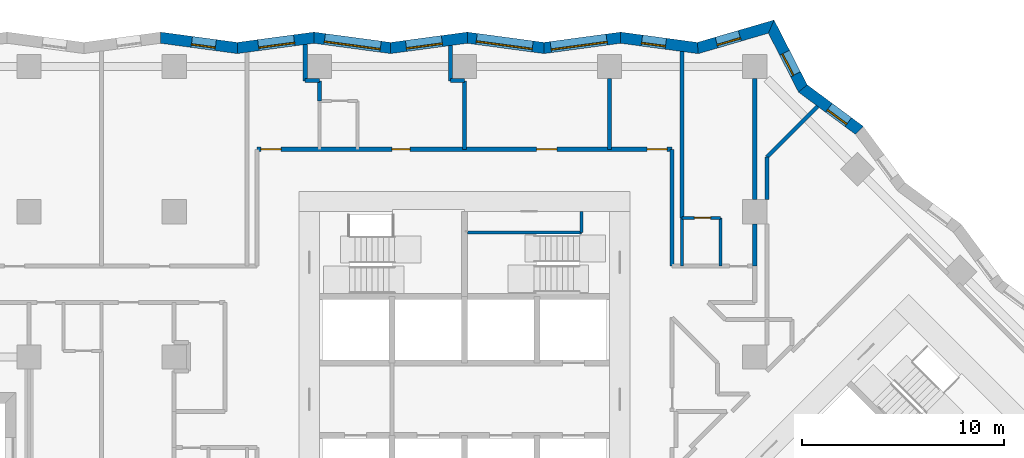
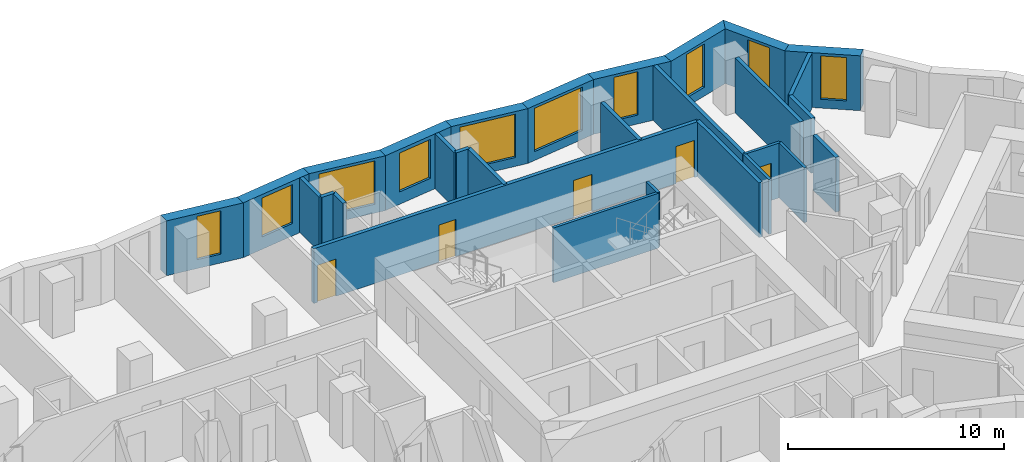
# One storey, part 6 of 12: 29 walls, 10 windows, 5 doors, 15 openings.
"""IFC4 building model written with IfcOpenShell, lengths in metres."""

from ifc_helpers import new_model, si_unit, direction, frame, frame_2d, origin, place, context, subcontext, project, spatial, polyline, rectangle, outline, extrude, material, layer, layer_set, type_object, element, fill, save


model = new_model("IFC4")

# Units and contexts
model_context = context("Model", 3, precision=1e-05, world=origin(), true_north=direction((0.0, 1.0)))
body_context = subcontext(model_context, "Body", "Model", "MODEL_VIEW")
ifc_project = project(units=[si_unit("LENGTHUNIT", "METRE"), si_unit("AREAUNIT", "SQUARE_METRE"), si_unit("VOLUMEUNIT", "CUBIC_METRE"), si_unit("PLANEANGLEUNIT", "RADIAN"), si_unit("MASSUNIT", "GRAM", prefix="KILO")], contexts=[model_context])

# Site, building, storey
site_placement = place(None, origin())
site = spatial("IfcSite", under=ifc_project, at=site_placement, CompositionType="ELEMENT")
building_placement = place(site_placement, origin())
building = spatial("IfcBuilding", under=site, at=building_placement, Name="Windrow Commons", CompositionType="ELEMENT")
storey_placement = place(building_placement, frame((0.0, 0.0, 50.8)))
storey = spatial("IfcBuildingStorey", under=building, at=storey_placement, Name="L13", CompositionType="ELEMENT", Elevation=50.8)

# Wall, opening, window
ifc_material_1 = material(Name="Brick masonry, red clay brick", Category="masonry")
ifc_layer_1 = layer(ifc_material_1, 0.55)
ifc_layer_set_1 = layer_set([ifc_layer_1], Name="Brick facade wall 550")
wall_type_1 = type_object("IfcWallType", Name="Brick facade wall 550", PredefinedType="SOLIDWALL", material=ifc_layer_set_1)
wall_1_placement = place(storey_placement, frame((84.3944, 68.8335, 0.0), z_axis=(0.0, 0.0, 1.0), x_axis=(-0.8036200162, 0.5951427304, 0.0)))
wall_1 = element("IfcWall", 1, at=wall_1_placement, inside=storey, type_object=wall_type_1, Name="Brick facade wall L13 21", PredefinedType="SOLIDWALL", context=body_context, shape_type="SweptSolid", body=[
    extrude(outline(polyline([(-0.041, -0.275), (3.4318, -0.275), (3.5609, 0.275), (0.041, 0.275), (-0.041, -0.275)])), origin(), (0.0, 0.0, 1.0), 3.1),
])
opening_1_placement = place(wall_1_placement, frame((0.6893, 0.0, 0.5)))
opening_1 = element("IfcOpeningElement", 2, at=opening_1_placement, cuts=wall_1, Name="Opening W7D", PredefinedType="OPENING", context=body_context, shape_type="SweptSolid", body=[
    extrude(rectangle(XDim=1.2, YDim=2.45, at=frame_2d((0.6, 1.225))), frame((0.0, 0.285, 0.0), z_axis=(0.0, -1.0, 0.0), x_axis=(1.0, 0.0, 0.0)), (0.0, 0.0, 1.0), 0.57),
])
ifc_material_2 = material(Name="Clear float glass in anodised aluminium frame", Category="aluminium")
window_type_1 = type_object("IfcWindowType", Name="Window W7 notch 1200x2450", PartitioningType="SINGLE_PANEL", PredefinedType="WINDOW", material=ifc_material_2)
window_1_placement = place(opening_1_placement, origin())
window_1 = element("IfcWindow", 3, at=window_1_placement, inside=storey, type_object=window_type_1, Name="Window L13 21.1", OverallHeight=2.45, OverallWidth=1.2, PartitioningType="SINGLE_PANEL", PredefinedType="WINDOW", context=body_context, shape_type="SweptSolid", body=[
    extrude(rectangle(XDim=1.2, YDim=2.45, at=frame_2d((0.6, 1.225))), frame((0.0, 0.155, 0.0), z_axis=(0.0, -1.0, 0.0), x_axis=(1.0, 0.0, 0.0)), (0.0, 0.0, 1.0), 0.06),
])
fill(opening_1, window_1)

wall_2_placement = place(storey_placement, frame((81.5847, 70.9143, 0.0), z_axis=(0.0, 0.0, 1.0), x_axis=(-0.4549362519, 0.8905240068, 0.0)))
wall_2 = element("IfcWall", 4, at=wall_2_placement, inside=storey, type_object=wall_type_1, Name="Brick facade wall L13 22", PredefinedType="SOLIDWALL", context=body_context, shape_type="SweptSolid", body=[
    extrude(outline(polyline([(0.0645, -0.275), (3.6749, -0.275), (3.2196, 0.275), (-0.0645, 0.275), (0.0645, -0.275)])), origin(), (0.0, 0.0, 1.0), 3.1),
])
opening_2_placement = place(wall_2_placement, frame((0.7897, 0.0, 0.5)))
opening_2 = element("IfcOpeningElement", 5, at=opening_2_placement, cuts=wall_2, Name="Opening W7D", PredefinedType="OPENING", context=body_context, shape_type="SweptSolid", body=[
    extrude(rectangle(XDim=1.2, YDim=2.45, at=frame_2d((0.6, 1.225))), frame((0.0, 0.285, 0.0), z_axis=(0.0, -1.0, 0.0), x_axis=(1.0, 0.0, 0.0)), (0.0, 0.0, 1.0), 0.57),
])
window_2_placement = place(opening_2_placement, origin())
window_2 = element("IfcWindow", 6, at=window_2_placement, inside=storey, type_object=window_type_1, Name="Window L13 22.1", OverallHeight=2.45, OverallWidth=1.2, PartitioningType="SINGLE_PANEL", PredefinedType="WINDOW", context=body_context, shape_type="SweptSolid", body=[
    extrude(rectangle(XDim=1.2, YDim=2.45, at=frame_2d((0.6, 1.225))), frame((0.0, 0.155, 0.0), z_axis=(0.0, -1.0, 0.0), x_axis=(1.0, 0.0, 0.0)), (0.0, 0.0, 1.0), 0.06),
])
fill(opening_2, window_2)

wall_3_placement = place(storey_placement, frame((80.0164, 73.9842, 0.0), z_axis=(0.0, 0.0, 1.0), x_axis=(-0.9598383765, -0.280553544, 0.0)))
wall_3 = element("IfcWall", 7, at=wall_3_placement, inside=storey, type_object=wall_type_1, Name="Brick facade wall L13 23", PredefinedType="SOLIDWALL", context=body_context, shape_type="SweptSolid", body=[
    extrude(outline(polyline([(-0.2276, -0.275), (3.7359, -0.275), (3.8526, 0.275), (0.2276, 0.275), (-0.2276, -0.275)])), origin(), (0.0, 0.0, 1.0), 3.1),
])
opening_3_placement = place(wall_3_placement, frame((1.6224, 0.0, 0.5)))
opening_3 = element("IfcOpeningElement", 8, at=opening_3_placement, cuts=wall_3, Name="Opening W7D", PredefinedType="OPENING", context=body_context, shape_type="SweptSolid", body=[
    extrude(rectangle(XDim=1.2, YDim=2.45, at=frame_2d((0.6, 1.225))), frame((0.0, 0.285, 0.0), z_axis=(0.0, -1.0, 0.0), x_axis=(1.0, 0.0, 0.0)), (0.0, 0.0, 1.0), 0.57),
])
window_3_placement = place(opening_3_placement, origin())
window_3 = element("IfcWindow", 9, at=window_3_placement, inside=storey, type_object=window_type_1, Name="Window L13 23.1", OverallHeight=2.45, OverallWidth=1.2, PartitioningType="SINGLE_PANEL", PredefinedType="WINDOW", context=body_context, shape_type="SweptSolid", body=[
    extrude(rectangle(XDim=1.2, YDim=2.45, at=frame_2d((0.6, 1.225))), frame((0.0, 0.155, 0.0), z_axis=(0.0, -1.0, 0.0), x_axis=(1.0, 0.0, 0.0)), (0.0, 0.0, 1.0), 0.06),
])
fill(opening_3, window_3)

wall_4_placement = place(storey_placement, frame((76.3745, 72.9197, 0.0), z_axis=(0.0, 0.0, 1.0), x_axis=(-0.9910665233, 0.1333684607, 0.0)))
wall_4 = element("IfcWall", 10, at=wall_4_placement, inside=storey, type_object=wall_type_1, Name="Brick facade wall L13 24", PredefinedType="SOLIDWALL", context=body_context, shape_type="SweptSolid", body=[
    extrude(outline(polyline([(0.0583, -0.275), (3.897, -0.275), (3.823, 0.275), (-0.0583, 0.275), (0.0583, -0.275)])), origin(), (0.0, 0.0, 1.0), 3.1),
])
opening_4_placement = place(wall_4_placement, frame((1.6022, 0.0, 0.5)))
opening_4 = element("IfcOpeningElement", 11, at=opening_4_placement, cuts=wall_4, Name="Opening W7D", PredefinedType="OPENING", context=body_context, shape_type="SweptSolid", body=[
    extrude(rectangle(XDim=1.2, YDim=2.45, at=frame_2d((0.6, 1.225))), frame((0.0, 0.285, 0.0), z_axis=(0.0, -1.0, 0.0), x_axis=(1.0, 0.0, 0.0)), (0.0, 0.0, 1.0), 0.57),
])
window_4_placement = place(opening_4_placement, origin())
window_4 = element("IfcWindow", 12, at=window_4_placement, inside=storey, type_object=window_type_1, Name="Window L13 24.1", OverallHeight=2.45, OverallWidth=1.2, PartitioningType="SINGLE_PANEL", PredefinedType="WINDOW", context=body_context, shape_type="SweptSolid", body=[
    extrude(rectangle(XDim=1.2, YDim=2.45, at=frame_2d((0.6, 1.225))), frame((0.0, 0.155, 0.0), z_axis=(0.0, -1.0, 0.0), x_axis=(1.0, 0.0, 0.0)), (0.0, 0.0, 1.0), 0.06),
])
fill(opening_4, window_4)

wall_5_placement = place(storey_placement, frame((72.549, 73.4345, 0.0), z_axis=(0.0, 0.0, 1.0), x_axis=(-0.9910651652, -0.1333785524, 0.0)))
wall_5 = element("IfcWall", 13, at=wall_5_placement, inside=storey, type_object=wall_type_1, Name="Brick facade wall L13 25", PredefinedType="SOLIDWALL", context=body_context, shape_type="SweptSolid", body=[
    extrude(outline(polyline([(-0.037, -0.275), (3.8016, -0.275), (3.8757, 0.275), (0.037, 0.275), (-0.037, -0.275)])), origin(), (0.0, 0.0, 1.0), 3.1),
])
opening_5_placement = place(wall_5_placement, frame((0.6963, 0.0, 0.5)))
opening_5 = element("IfcOpeningElement", 14, at=opening_5_placement, cuts=wall_5, Name="Opening W1T", PredefinedType="OPENING", context=body_context, shape_type="SweptSolid", body=[
    extrude(rectangle(XDim=2.8, YDim=2.45, at=frame_2d((1.4, 1.225))), frame((0.0, 0.285, 0.0), z_axis=(0.0, -1.0, 0.0), x_axis=(1.0, 0.0, 0.0)), (0.0, 0.0, 1.0), 0.57),
])
ifc_material_3 = material(Name="Clear float glass in anodised aluminium frame", Category="aluminium")
window_type_2 = type_object("IfcWindowType", Name="Window W1T bedroom 2800x2450", PartitioningType="SINGLE_PANEL", PredefinedType="WINDOW", material=ifc_material_3)
window_5_placement = place(opening_5_placement, origin())
window_5 = element("IfcWindow", 15, at=window_5_placement, inside=storey, type_object=window_type_2, Name="Window L13 25.1", OverallHeight=2.45, OverallWidth=2.8, PartitioningType="SINGLE_PANEL", PredefinedType="WINDOW", context=body_context, shape_type="SweptSolid", body=[
    extrude(rectangle(XDim=2.8, YDim=2.45, at=frame_2d((1.4, 1.225))), frame((0.0, 0.155, 0.0), z_axis=(0.0, -1.0, 0.0), x_axis=(1.0, 0.0, 0.0)), (0.0, 0.0, 1.0), 0.06),
])
fill(opening_5, window_5)

wall_6_placement = place(storey_placement, frame((68.7446, 72.9225, 0.0), z_axis=(0.0, 0.0, 1.0), x_axis=(-0.9910647018, 0.133381996, 0.0)))
wall_6 = element("IfcWall", 16, at=wall_6_placement, inside=storey, type_object=wall_type_1, Name="Brick facade wall L13 26", PredefinedType="SOLIDWALL", context=body_context, shape_type="SweptSolid", body=[
    extrude(outline(polyline([(0.037, -0.275), (3.8757, -0.275), (3.8016, 0.275), (-0.037, 0.275), (0.037, -0.275)])), origin(), (0.0, 0.0, 1.0), 3.1),
])
opening_6_placement = place(wall_6_placement, frame((0.5747, 0.0, 0.5)))
opening_6 = element("IfcOpeningElement", 17, at=opening_6_placement, cuts=wall_6, Name="Opening W1T", PredefinedType="OPENING", context=body_context, shape_type="SweptSolid", body=[
    extrude(rectangle(XDim=2.8, YDim=2.45, at=frame_2d((1.4, 1.225))), frame((0.0, 0.285, 0.0), z_axis=(0.0, -1.0, 0.0), x_axis=(1.0, 0.0, 0.0)), (0.0, 0.0, 1.0), 0.57),
])
window_6_placement = place(opening_6_placement, origin())
window_6 = element("IfcWindow", 18, at=window_6_placement, inside=storey, type_object=window_type_2, Name="Window L13 26.1", OverallHeight=2.45, OverallWidth=2.8, PartitioningType="SINGLE_PANEL", PredefinedType="WINDOW", context=body_context, shape_type="SweptSolid", body=[
    extrude(rectangle(XDim=2.8, YDim=2.45, at=frame_2d((1.4, 1.225))), frame((0.0, 0.155, 0.0), z_axis=(0.0, -1.0, 0.0), x_axis=(1.0, 0.0, 0.0)), (0.0, 0.0, 1.0), 0.06),
])
fill(opening_6, window_6)

wall_7_placement = place(storey_placement, frame((64.9403, 73.4345, 0.0), z_axis=(0.0, 0.0, 1.0), x_axis=(-0.9910651652, -0.1333785524, 0.0)))
wall_7 = element("IfcWall", 19, at=wall_7_placement, inside=storey, type_object=wall_type_1, Name="Brick facade wall L13 27", PredefinedType="SOLIDWALL", context=body_context, shape_type="SweptSolid", body=[
    extrude(outline(polyline([(-0.037, -0.275), (3.8016, -0.275), (3.8757, 0.275), (0.037, 0.275), (-0.037, -0.275)])), origin(), (0.0, 0.0, 1.0), 3.1),
])
opening_7_placement = place(wall_7_placement, frame((1.2613, 0.0, 0.7)))
opening_7 = element("IfcOpeningElement", 20, at=opening_7_placement, cuts=wall_7, Name="Opening W6", PredefinedType="OPENING", context=body_context, shape_type="SweptSolid", body=[
    extrude(rectangle(XDim=1.8, YDim=2.2, at=frame_2d((0.9, 1.1))), frame((0.0, 0.285, 0.0), z_axis=(0.0, -1.0, 0.0), x_axis=(1.0, 0.0, 0.0)), (0.0, 0.0, 1.0), 0.57),
])
ifc_material_4 = material(Name="Clear float glass in anodised aluminium frame", Category="aluminium")
window_type_3 = type_object("IfcWindowType", Name="Window W6 crown 1800x2200", PartitioningType="SINGLE_PANEL", PredefinedType="WINDOW", material=ifc_material_4)
window_7_placement = place(opening_7_placement, origin())
window_7 = element("IfcWindow", 21, at=window_7_placement, inside=storey, type_object=window_type_3, Name="Window L13 27.1A", OverallHeight=2.2, OverallWidth=1.8, PartitioningType="SINGLE_PANEL", PredefinedType="WINDOW", context=body_context, shape_type="SweptSolid", body=[
    extrude(rectangle(XDim=1.8, YDim=2.2, at=frame_2d((0.9, 1.1))), frame((0.0, 0.155, 0.0), z_axis=(0.0, -1.0, 0.0), x_axis=(1.0, 0.0, 0.0)), (0.0, 0.0, 1.0), 0.06),
])
fill(opening_7, window_7)

wall_8_placement = place(storey_placement, frame((61.1359, 72.9225, 0.0), z_axis=(0.0, 0.0, 1.0), x_axis=(-0.9910647018, 0.133381996, 0.0)))
wall_8 = element("IfcWall", 22, at=wall_8_placement, inside=storey, type_object=wall_type_1, Name="Brick facade wall L13 28", PredefinedType="SOLIDWALL", context=body_context, shape_type="SweptSolid", body=[
    extrude(outline(polyline([(0.037, -0.275), (3.8757, -0.275), (3.8016, 0.275), (-0.037, 0.275), (0.037, -0.275)])), origin(), (0.0, 0.0, 1.0), 3.1),
])
opening_8_placement = place(wall_8_placement, frame((0.5008, 0.0, 0.5)))
opening_8 = element("IfcOpeningElement", 23, at=opening_8_placement, cuts=wall_8, Name="Opening W1T", PredefinedType="OPENING", context=body_context, shape_type="SweptSolid", body=[
    extrude(rectangle(XDim=2.8, YDim=2.45, at=frame_2d((1.4, 1.225))), frame((0.0, 0.285, 0.0), z_axis=(0.0, -1.0, 0.0), x_axis=(1.0, 0.0, 0.0)), (0.0, 0.0, 1.0), 0.57),
])
window_8_placement = place(opening_8_placement, origin())
window_8 = element("IfcWindow", 24, at=window_8_placement, inside=storey, type_object=window_type_2, Name="Window L13 28.1", OverallHeight=2.45, OverallWidth=2.8, PartitioningType="SINGLE_PANEL", PredefinedType="WINDOW", context=body_context, shape_type="SweptSolid", body=[
    extrude(rectangle(XDim=2.8, YDim=2.45, at=frame_2d((1.4, 1.225))), frame((0.0, 0.155, 0.0), z_axis=(0.0, -1.0, 0.0), x_axis=(1.0, 0.0, 0.0)), (0.0, 0.0, 1.0), 0.06),
])
fill(opening_8, window_8)

wall_9_placement = place(storey_placement, frame((57.3316, 73.4345, 0.0), z_axis=(0.0, 0.0, 1.0), x_axis=(-0.9910651652, -0.1333785524, 0.0)))
wall_9 = element("IfcWall", 25, at=wall_9_placement, inside=storey, type_object=wall_type_1, Name="Brick facade wall L13 29", PredefinedType="SOLIDWALL", context=body_context, shape_type="SweptSolid", body=[
    extrude(outline(polyline([(-0.037, -0.275), (3.8016, -0.275), (3.8757, 0.275), (0.037, 0.275), (-0.037, -0.275)])), origin(), (0.0, 0.0, 1.0), 3.1),
])
opening_9_placement = place(wall_9_placement, frame((0.9859, 0.0, 0.7)))
opening_9 = element("IfcOpeningElement", 26, at=opening_9_placement, cuts=wall_9, Name="Opening W6", PredefinedType="OPENING", context=body_context, shape_type="SweptSolid", body=[
    extrude(rectangle(XDim=1.8, YDim=2.2, at=frame_2d((0.9, 1.1))), frame((0.0, 0.285, 0.0), z_axis=(0.0, -1.0, 0.0), x_axis=(1.0, 0.0, 0.0)), (0.0, 0.0, 1.0), 0.57),
])
window_9_placement = place(opening_9_placement, origin())
window_9 = element("IfcWindow", 27, at=window_9_placement, inside=storey, type_object=window_type_3, Name="Window L13 29.1A", OverallHeight=2.2, OverallWidth=1.8, PartitioningType="SINGLE_PANEL", PredefinedType="WINDOW", context=body_context, shape_type="SweptSolid", body=[
    extrude(rectangle(XDim=1.8, YDim=2.2, at=frame_2d((0.9, 1.1))), frame((0.0, 0.155, 0.0), z_axis=(0.0, -1.0, 0.0), x_axis=(1.0, 0.0, 0.0)), (0.0, 0.0, 1.0), 0.06),
])
fill(opening_9, window_9)

wall_10_placement = place(storey_placement, frame((53.5272, 72.9225, 0.0), z_axis=(0.0, 0.0, 1.0), x_axis=(-0.9910647018, 0.133381996, 0.0)))
wall_10 = element("IfcWall", 28, at=wall_10_placement, inside=storey, type_object=wall_type_1, Name="Brick facade wall L13 30", PredefinedType="SOLIDWALL", context=body_context, shape_type="SweptSolid", body=[
    extrude(outline(polyline([(0.037, -0.275), (3.8757, -0.275), (3.8016, 0.275), (-0.037, 0.275), (0.037, -0.275)])), origin(), (0.0, 0.0, 1.0), 3.1),
])
opening_10_placement = place(wall_10_placement, frame((1.0777, 0.0, 0.5)))
opening_10 = element("IfcOpeningElement", 29, at=opening_10_placement, cuts=wall_10, Name="Opening W7D", PredefinedType="OPENING", context=body_context, shape_type="SweptSolid", body=[
    extrude(rectangle(XDim=1.2, YDim=2.45, at=frame_2d((0.6, 1.225))), frame((0.0, 0.285, 0.0), z_axis=(0.0, -1.0, 0.0), x_axis=(1.0, 0.0, 0.0)), (0.0, 0.0, 1.0), 0.57),
])
window_10_placement = place(opening_10_placement, origin())
window_10 = element("IfcWindow", 30, at=window_10_placement, inside=storey, type_object=window_type_1, Name="Window L13 30.1", OverallHeight=2.45, OverallWidth=1.2, PartitioningType="SINGLE_PANEL", PredefinedType="WINDOW", context=body_context, shape_type="SweptSolid", body=[
    extrude(rectangle(XDim=1.2, YDim=2.45, at=frame_2d((0.6, 1.225))), frame((0.0, 0.155, 0.0), z_axis=(0.0, -1.0, 0.0), x_axis=(1.0, 0.0, 0.0)), (0.0, 0.0, 1.0), 0.06),
])
fill(opening_10, window_10)

# Wall, openings, doors
ifc_material_5 = material(Name="Blockwork partition", Category="masonry")
ifc_layer_2 = layer(ifc_material_5, 0.2)
ifc_layer_set_2 = layer_set([ifc_layer_2], Name="IW-CORRIDOR-200")
wall_type_2 = type_object("IfcWallType", Name="IW-CORRIDOR-200", PredefinedType="PARTITIONING", material=ifc_layer_set_2)
wall_11_placement = place(storey_placement, frame((54.5, 67.9, 0.0), z_axis=(0.0, 0.0, 1.0), x_axis=(1.0, 0.0, 0.0)))
wall_11 = element("IfcWall", 31, at=wall_11_placement, inside=storey, type_object=wall_type_2, Name="W-L13-W003", PredefinedType="PARTITIONING", context=body_context, shape_type="SweptSolid", body=[
    extrude(rectangle(XDim=20.6, YDim=0.2, at=frame_2d((10.3, 0.0))), origin(), (0.0, 0.0, 1.0), 3.1),
])
opening_11_placement = place(wall_11_placement, frame((0.1975, 0.0, 0.0)))
opening_11 = element("IfcOpeningElement", 32, at=opening_11_placement, cuts=wall_11, Name="Opening D310F", PredefinedType="OPENING", context=body_context, shape_type="SweptSolid", body=[
    extrude(rectangle(XDim=1.0, YDim=2.1, at=frame_2d((0.5, 1.05))), frame((0.0, 0.11, 0.0), z_axis=(0.0, -1.0, 0.0), x_axis=(1.0, 0.0, 0.0)), (0.0, 0.0, 1.0), 0.22),
])
opening_12_placement = place(wall_11_placement, frame((19.3578, 0.0, 0.0)))
opening_12 = element("IfcOpeningElement", 33, at=opening_12_placement, cuts=wall_11, Name="Opening D310F", PredefinedType="OPENING", context=body_context, shape_type="SweptSolid", body=[
    extrude(rectangle(XDim=1.0, YDim=2.1, at=frame_2d((0.5, 1.05))), frame((0.0, 0.11, 0.0), z_axis=(0.0, -1.0, 0.0), x_axis=(1.0, 0.0, 0.0)), (0.0, 0.0, 1.0), 0.22),
])
opening_13_placement = place(wall_11_placement, frame((6.6983, 0.0, 0.0)))
opening_13 = element("IfcOpeningElement", 34, at=opening_13_placement, cuts=wall_11, Name="Opening D109F", PredefinedType="OPENING", context=body_context, shape_type="SweptSolid", body=[
    extrude(rectangle(XDim=0.9, YDim=2.1, at=frame_2d((0.45, 1.05))), frame((0.0, 0.11, 0.0), z_axis=(0.0, -1.0, 0.0), x_axis=(1.0, 0.0, 0.0)), (0.0, 0.0, 1.0), 0.22),
])
opening_14_placement = place(wall_11_placement, frame((13.8837, 0.0, 0.0)))
opening_14 = element("IfcOpeningElement", 35, at=opening_14_placement, cuts=wall_11, Name="Opening D310F", PredefinedType="OPENING", context=body_context, shape_type="SweptSolid", body=[
    extrude(rectangle(XDim=1.0, YDim=2.1, at=frame_2d((0.5, 1.05))), frame((0.0, 0.11, 0.0), z_axis=(0.0, -1.0, 0.0), x_axis=(1.0, 0.0, 0.0)), (0.0, 0.0, 1.0), 0.22),
])
ifc_material_6 = material(Name="Timber door leaf", Category="wood")
door_type_1 = type_object("IfcDoorType", Name="DT-AMENITY-1000", OperationType="SINGLE_SWING_LEFT", PredefinedType="DOOR", material=ifc_material_6)
door_1_placement = place(opening_11_placement, origin())
door_1 = element("IfcDoor", 36, at=door_1_placement, inside=storey, type_object=door_type_1, Name="D-L13-D010", OperationType="SINGLE_SWING_LEFT", OverallHeight=2.1, OverallWidth=1.0, PredefinedType="DOOR", context=body_context, shape_type="SweptSolid", body=[
    extrude(rectangle(XDim=1.0, YDim=2.1, at=frame_2d((0.5, 1.05))), frame((0.0, 0.025, 0.0), z_axis=(0.0, -1.0, 0.0), x_axis=(1.0, 0.0, 0.0)), (0.0, 0.0, 1.0), 0.05),
])
fill(opening_11, door_1)
door_2_placement = place(opening_12_placement, origin())
door_2 = element("IfcDoor", 37, at=door_2_placement, inside=storey, type_object=door_type_1, Name="D-L13-D011", OperationType="SINGLE_SWING_RIGHT", OverallHeight=2.1, OverallWidth=1.0, PredefinedType="DOOR", context=body_context, shape_type="SweptSolid", body=[
    extrude(rectangle(XDim=1.0, YDim=2.1, at=frame_2d((0.5, 1.05))), frame((0.0, 0.025, 0.0), z_axis=(0.0, -1.0, 0.0), x_axis=(1.0, 0.0, 0.0)), (0.0, 0.0, 1.0), 0.05),
])
fill(opening_12, door_2)
door_3_placement = place(opening_14_placement, origin())
door_3 = element("IfcDoor", 38, at=door_3_placement, inside=storey, type_object=door_type_1, Name="D-L13-D024", OperationType="SINGLE_SWING_RIGHT", OverallHeight=2.1, OverallWidth=1.0, PredefinedType="DOOR", context=body_context, shape_type="SweptSolid", body=[
    extrude(rectangle(XDim=1.0, YDim=2.1, at=frame_2d((0.5, 1.05))), frame((0.0, 0.025, 0.0), z_axis=(0.0, -1.0, 0.0), x_axis=(1.0, 0.0, 0.0)), (0.0, 0.0, 1.0), 0.05),
])
fill(opening_14, door_3)
ifc_material_7 = material(Name="Timber door leaf", Category="wood")
door_type_2 = type_object("IfcDoorType", Name="DT-BEDROOM-900", OperationType="SINGLE_SWING_LEFT", PredefinedType="DOOR", material=ifc_material_7)
door_4_placement = place(opening_13_placement, origin())
door_4 = element("IfcDoor", 39, at=door_4_placement, inside=storey, type_object=door_type_2, Name="D-L13-D022", OperationType="SINGLE_SWING_RIGHT", OverallHeight=2.1, OverallWidth=0.9, PredefinedType="DOOR", context=body_context, shape_type="SweptSolid", body=[
    extrude(rectangle(XDim=0.9, YDim=2.1, at=frame_2d((0.45, 1.05))), frame((0.0, 0.025, 0.0), z_axis=(0.0, -1.0, 0.0), x_axis=(1.0, 0.0, 0.0)), (0.0, 0.0, 1.0), 0.05),
])
fill(opening_13, door_4)

# Walls
wall_12_placement = place(storey_placement, frame((75.1, 62.102, 0.0), z_axis=(0.0, 0.0, 1.0), x_axis=(0.0, 1.0, 0.0)))
element("IfcWall", 40, at=wall_12_placement, inside=storey, type_object=wall_type_2, Name="W-L13-W034", PredefinedType="PARTITIONING", context=body_context, shape_type="SweptSolid", body=[
    extrude(rectangle(XDim=5.798, YDim=0.2, at=frame_2d((2.899, 0.0))), origin(), (0.0, 0.0, 1.0), 3.1),
])
ifc_material_8 = material(Name="Blockwork partition", Category="masonry")
ifc_layer_3 = layer(ifc_material_8, 0.15)
ifc_layer_set_3 = layer_set([ifc_layer_3], Name="IW-ENSUITE-150")
wall_type_3 = type_object("IfcWallType", Name="IW-ENSUITE-150", PredefinedType="PARTITIONING", material=ifc_layer_set_3)
for number, where, z_axis, x_axis, name in (
    (41, (75.6, 62.1, 0.0), (0.0, 0.0, 1.0), (0.0, 1.0, 0.0), "W-L13-W080"),
    (42, (77.5, 62.1, 0.0), (0.0, 0.0, 1.0), (0.0, 1.0, 0.0), "W-L13-W081"),
):
    element("IfcWall", number, at=place(storey_placement, frame(where, z_axis=z_axis, x_axis=x_axis)), inside=storey, type_object=wall_type_3, Name=name, PredefinedType="PARTITIONING", context=body_context, shape_type="SweptSolid", body=[
        extrude(rectangle(XDim=2.4, YDim=0.15, at=frame_2d((1.2, 0.0))), origin(), (0.0, 0.0, 1.0), 3.1),
    ])

# Wall, opening, door
wall_13_placement = place(storey_placement, frame((75.6, 64.5, 0.0), z_axis=(0.0, 0.0, 1.0), x_axis=(1.0, 0.0, 0.0)))
wall_13 = element("IfcWall", 43, at=wall_13_placement, inside=storey, type_object=wall_type_3, Name="W-L13-W108", PredefinedType="PARTITIONING", context=body_context, shape_type="SweptSolid", body=[
    extrude(rectangle(XDim=1.9, YDim=0.15, at=frame_2d((0.95, 0.0))), origin(), (0.0, 0.0, 1.0), 3.1),
])
opening_15_placement = place(wall_13_placement, frame((0.6069, 0.0, 0.0)))
opening_15 = element("IfcOpeningElement", 44, at=opening_15_placement, cuts=wall_13, Name="Opening D208N", PredefinedType="OPENING", context=body_context, shape_type="SweptSolid", body=[
    extrude(rectangle(XDim=0.8, YDim=2.1, at=frame_2d((0.4, 1.05))), frame((0.0, 0.085, 0.0), z_axis=(0.0, -1.0, 0.0), x_axis=(1.0, 0.0, 0.0)), (0.0, 0.0, 1.0), 0.17),
])
ifc_material_9 = material(Name="Timber door leaf", Category="wood")
door_type_3 = type_object("IfcDoorType", Name="DT-ENSUITE-800", OperationType="SINGLE_SWING_LEFT", PredefinedType="DOOR", material=ifc_material_9)
door_5_placement = place(opening_15_placement, origin())
door_5 = element("IfcDoor", 45, at=door_5_placement, inside=storey, type_object=door_type_3, Name="D-L13-D013", OperationType="SINGLE_SWING_RIGHT", OverallHeight=2.1, OverallWidth=0.8, PredefinedType="DOOR", context=body_context, shape_type="SweptSolid", body=[
    extrude(rectangle(XDim=0.8, YDim=2.1, at=frame_2d((0.4, 1.05))), frame((0.0, 0.025, 0.0), z_axis=(0.0, -1.0, 0.0), x_axis=(1.0, 0.0, 0.0)), (0.0, 0.0, 1.0), 0.05),
])
fill(opening_15, door_5)

# Walls
ifc_material_10 = material(Name="Blockwork partition", Category="masonry")
ifc_layer_4 = layer(ifc_material_10, 0.2)
ifc_layer_set_4 = layer_set([ifc_layer_4], Name="IW-PARTY-200")
wall_type_4 = type_object("IfcWallType", Name="IW-PARTY-200", PredefinedType="PARTITIONING", material=ifc_layer_set_4)
wall_14_placement = place(storey_placement, frame((75.6, 64.5, 0.0), z_axis=(0.0, 0.0, 1.0), x_axis=(0.0, 1.0, 0.0)))
element("IfcWall", 46, at=wall_14_placement, inside=storey, type_object=wall_type_4, Name="W-L13-W018", PredefinedType="PARTITIONING", context=body_context, shape_type="SweptSolid", body=[
    extrude(rectangle(XDim=8.2464, YDim=0.2, at=frame_2d((4.1232, 0.0))), origin(), (0.0, 0.0, 1.0), 3.1),
])
wall_15_placement = place(storey_placement, frame((79.2, 65.4, 0.0), z_axis=(0.0, 0.0, 1.0), x_axis=(0.0, 1.0, 0.0)))
element("IfcWall", 47, at=wall_15_placement, inside=storey, type_object=wall_type_4, Name="W-L13-W031", PredefinedType="PARTITIONING", context=body_context, shape_type="SweptSolid", body=[
    extrude(rectangle(XDim=6.0, YDim=0.2, at=frame_2d((3.0, 0.0))), origin(), (0.0, 0.0, 1.0), 3.1),
])
wall_16_placement = place(storey_placement, frame((79.7988, 67.5092, 0.0), z_axis=(0.0, 0.0, 1.0), x_axis=(0.7070927486, 0.7071208134, 0.0)))
element("IfcWall", 48, at=wall_16_placement, inside=storey, type_object=wall_type_4, Name="W-L13-W050", PredefinedType="PARTITIONING", context=body_context, shape_type="SweptSolid", body=[
    extrude(rectangle(XDim=3.5632, YDim=0.2, at=frame_2d((1.7816, 0.0))), origin(), (0.0, 0.0, 1.0), 3.1),
])
wall_17_placement = place(storey_placement, frame((72.0, 67.9, 0.0), z_axis=(0.0, 0.0, 1.0), x_axis=(0.0, 1.0, 0.0)))
element("IfcWall", 49, at=wall_17_placement, inside=storey, type_object=wall_type_4, Name="W-L13-W051", PredefinedType="PARTITIONING", context=body_context, shape_type="SweptSolid", body=[
    extrude(rectangle(XDim=3.5, YDim=0.2, at=frame_2d((1.75, 0.0))), origin(), (0.0, 0.0, 1.0), 3.1),
])
wall_18_placement = place(storey_placement, frame((64.8, 67.9, 0.0), z_axis=(0.0, 0.0, 1.0), x_axis=(0.0, 1.0, 0.0)))
element("IfcWall", 50, at=wall_18_placement, inside=storey, type_object=wall_type_4, Name="W-L13-W052", PredefinedType="PARTITIONING", context=body_context, shape_type="SweptSolid", body=[
    extrude(rectangle(XDim=3.396, YDim=0.2, at=frame_2d((1.698, 0.0))), origin(), (0.0, 0.0, 1.0), 3.1),
])
wall_19_placement = place(storey_placement, frame((79.8, 65.4, 0.0), z_axis=(0.0, 0.0, 1.0), x_axis=(0.0, 1.0, 0.0)))
element("IfcWall", 51, at=wall_19_placement, inside=storey, type_object=wall_type_4, Name="W-L13-W097", PredefinedType="PARTITIONING", context=body_context, shape_type="SweptSolid", body=[
    extrude(rectangle(XDim=2.108, YDim=0.2, at=frame_2d((1.054, 0.0))), origin(), (0.0, 0.0, 1.0), 3.1),
])
wall_20_placement = place(storey_placement, frame((79.2, 62.1, 0.0), z_axis=(0.0, 0.0, 1.0), x_axis=(0.0, 1.0, 0.0)))
element("IfcWall", 52, at=wall_20_placement, inside=storey, type_object=wall_type_4, Name="W-L13-W101", PredefinedType="PARTITIONING", context=body_context, shape_type="SweptSolid", body=[
    extrude(rectangle(XDim=2.1, YDim=0.2, at=frame_2d((1.05, 0.0))), origin(), (0.0, 0.0, 1.0), 3.1),
])
wall_21_placement = place(storey_placement, frame((56.9, 71.296, 0.0), z_axis=(0.0, 0.0, 1.0), x_axis=(0.0, 1.0, 0.0)))
element("IfcWall", 53, at=wall_21_placement, inside=storey, type_object=wall_type_4, Name="W-L13-W133", PredefinedType="PARTITIONING", context=body_context, shape_type="SweptSolid", body=[
    extrude(rectangle(XDim=1.803, YDim=0.2, at=frame_2d((0.9015, 0.0))), origin(), (0.0, 0.0, 1.0), 3.1),
])
wall_22_placement = place(storey_placement, frame((64.1, 71.296, 0.0), z_axis=(0.0, 0.0, 1.0), x_axis=(0.0, 1.0, 0.0)))
element("IfcWall", 54, at=wall_22_placement, inside=storey, type_object=wall_type_4, Name="W-L13-W134", PredefinedType="PARTITIONING", context=body_context, shape_type="SweptSolid", body=[
    extrude(rectangle(XDim=1.748, YDim=0.2, at=frame_2d((0.874, 0.0))), origin(), (0.0, 0.0, 1.0), 3.1),
])
wall_23_placement = place(storey_placement, frame((57.6, 70.3, 0.0), z_axis=(0.0, 0.0, 1.0), x_axis=(0.0, 1.0, 0.0)))
element("IfcWall", 55, at=wall_23_placement, inside=storey, type_object=wall_type_4, Name="W-L13-W150", PredefinedType="PARTITIONING", context=body_context, shape_type="SweptSolid", body=[
    extrude(rectangle(XDim=0.996, YDim=0.2, at=frame_2d((0.498, 0.0))), origin(), (0.0, 0.0, 1.0), 3.1),
])
for number, where, z_axis, x_axis, name in (
    (56, (56.9, 71.3, 0.0), (0.0, 0.0, 1.0), (1.0, 0.0, 0.0), "W-L13-W154"),
    (57, (64.1, 71.3, 0.0), (0.0, 0.0, 1.0), (1.0, 0.0, 0.0), "W-L13-W155"),
):
    element("IfcWall", number, at=place(storey_placement, frame(where, z_axis=z_axis, x_axis=x_axis)), inside=storey, type_object=wall_type_4, Name=name, PredefinedType="PARTITIONING", context=body_context, shape_type="SweptSolid", body=[
        extrude(rectangle(XDim=0.7, YDim=0.2, at=frame_2d((0.35, 0.0))), origin(), (0.0, 0.0, 1.0), 3.1),
    ])
ifc_material_11 = material(Name="Blockwork partition", Category="masonry")
ifc_layer_5 = layer(ifc_material_11, 0.15)
ifc_layer_set_5 = layer_set([ifc_layer_5], Name="Riser partition 150")
wall_type_5 = type_object("IfcWallType", Name="Riser partition 150", PredefinedType="PARTITIONING", material=ifc_layer_set_5)
wall_24_placement = place(storey_placement, frame((64.95, 63.78, 0.0), z_axis=(0.0, 0.0, 1.0), x_axis=(1.0, 0.0, 0.0)))
element("IfcWall", 58, at=wall_24_placement, inside=storey, type_object=wall_type_5, Name="W-core-strip-A-L13", PredefinedType="PARTITIONING", context=body_context, shape_type="SweptSolid", body=[
    extrude(rectangle(XDim=5.65, YDim=0.15, at=frame_2d((2.825, 0.0))), origin(), (0.0, 0.0, 1.0), 3.1),
])
wall_25_placement = place(storey_placement, frame((70.6, 63.78, 0.0), z_axis=(0.0, 0.0, 1.0), x_axis=(0.0, 1.0, 0.0)))
element("IfcWall", 59, at=wall_25_placement, inside=storey, type_object=wall_type_5, Name="W-core-stripx-A-L13-1", PredefinedType="PARTITIONING", context=body_context, shape_type="SweptSolid", body=[
    extrude(rectangle(XDim=1.02, YDim=0.15, at=frame_2d((0.51, 0.0))), origin(), (0.0, 0.0, 1.0), 3.1),
])

save(model, "model.ifc")
